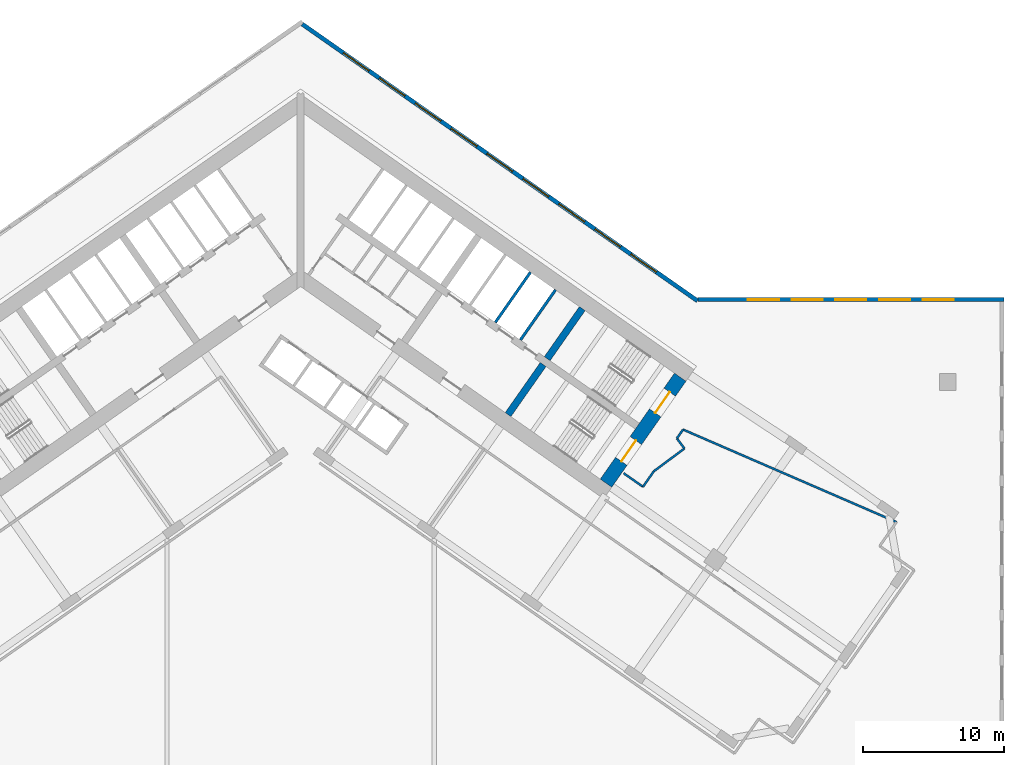
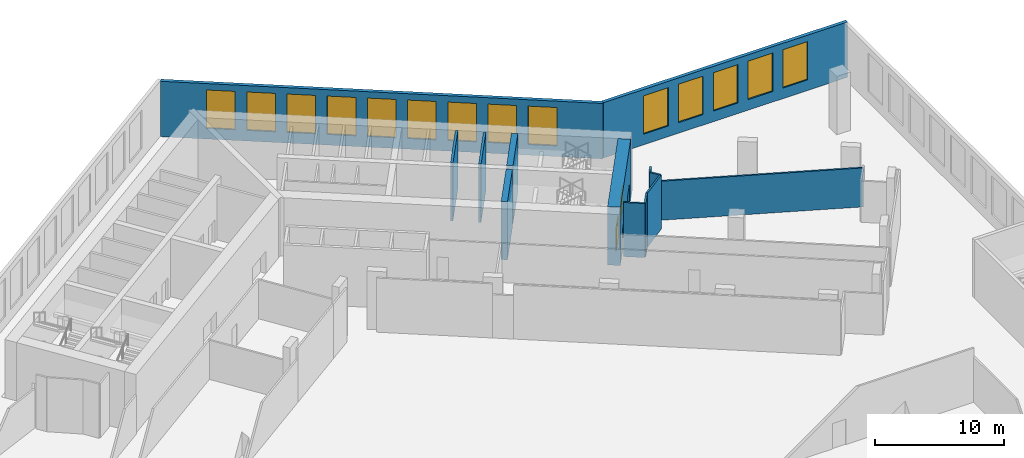
# One storey, part 12 of 26: 14 windows, 13 walls, 2 doors, 16 openings.
"""IFC4 building model written with IfcOpenShell, lengths in metres."""

from ifc_helpers import new_model, si_unit, direction, frame, frame_2d, origin, place, context, subcontext, project, spatial, polyline, rectangle, outline, extrude, material, layer, layer_set, type_object, element, fill, save


model = new_model("IFC4")

# Units and contexts
model_context = context("Model", 3, precision=1e-05, world=origin(), true_north=direction((0.0, 1.0)))
body_context = subcontext(model_context, "Body", "Model", "MODEL_VIEW")
ifc_project = project(units=[si_unit("LENGTHUNIT", "METRE"), si_unit("AREAUNIT", "SQUARE_METRE"), si_unit("VOLUMEUNIT", "CUBIC_METRE"), si_unit("PLANEANGLEUNIT", "RADIAN"), si_unit("MASSUNIT", "GRAM", prefix="KILO")], contexts=[model_context])

# Site, building, storey
site_placement = place(None, origin())
site = spatial("IfcSite", under=ifc_project, at=site_placement, CompositionType="ELEMENT")
building_placement = place(site_placement, origin())
building = spatial("IfcBuilding", under=site, at=building_placement, Name="Tel Ilan Convention Tower", CompositionType="ELEMENT")
storey_placement = place(building_placement, frame((0.0, 0.0, 37.5)))
storey = spatial("IfcBuildingStorey", under=building, at=storey_placement, Name="L05", CompositionType="ELEMENT", Elevation=37.5)

# Wall, openings, doors
ifc_material_1 = material(Name="Concrete C60/75", Category="concrete")
ifc_layer_1 = layer(ifc_material_1, 1.0)
ifc_layer_set_1 = layer_set([ifc_layer_1], Name="Core Shear Wall 1000 mm C60/75")
wall_type_1 = type_object("IfcWallType", Name="Core Shear Wall 1000 mm C60/75", PredefinedType="SHEAR", material=ifc_layer_set_1)
wall_1_placement = place(storey_placement, frame((21.70751953125, -15.19970703125, 0.0), z_axis=(0.0, 0.0, 1.0), x_axis=(0.573576324356, 0.819152122709, 0.0)))
wall_1 = element("IfcWall", 1, at=wall_1_placement, inside=storey, type_object=wall_type_1, Name="L05 core wall E-end", PredefinedType="SHEAR", context=body_context, shape_type="SweptSolid", body=[
    extrude(outline(polyline([(9.199951171875, 0.5), (0.0, 0.5), (0.0, -0.5), (9.199951171875, -0.5), (9.199951171875, 0.5)])), origin(), (0.0, 0.0, 1.0), 5.5),
])
opening_1_placement = place(wall_1_placement, frame((6.10009765625, 0.0, 0.0)))
opening_1 = element("IfcOpeningElement", 2, at=opening_1_placement, cuts=wall_1, Name="Opening SD0803", PredefinedType="OPENING", context=body_context, shape_type="SweptSolid", body=[
    extrude(rectangle(XDim=1.800048828125, YDim=2.10009765625, at=frame_2d((0.89990234375, 1.050048828125))), frame((0.0, 0.510009765625, 0.0), z_axis=(0.0, -1.0, 0.0), x_axis=(1.0, 0.0, 0.0)), (0.0, 0.0, 1.0), 1.02001953125),
])
opening_2_placement = place(wall_1_placement, frame((1.89990234375, 0.0, 0.0)))
opening_2 = element("IfcOpeningElement", 3, at=opening_2_placement, cuts=wall_1, Name="Opening SD0804", PredefinedType="OPENING", context=body_context, shape_type="SweptSolid", body=[
    extrude(rectangle(XDim=1.800048828125, YDim=2.10009765625, at=frame_2d((0.89990234375, 1.050048828125))), frame((0.0, 0.510009765625, 0.0), z_axis=(0.0, -1.0, 0.0), x_axis=(1.0, 0.0, 0.0)), (0.0, 0.0, 1.0), 1.02001953125),
])
ifc_material_2 = material(Name="Galvanised Steel Door Leaf", Category="steel")
door_type = type_object("IfcDoorType", Name="Stair Fire Door 1800 x 2100 FD60S", OperationType="NOTDEFINED", PredefinedType="DOOR", material=ifc_material_2)
door_1_placement = place(opening_1_placement, origin())
door_1 = element("IfcDoor", 4, at=door_1_placement, inside=storey, type_object=door_type, Name="Stair S3 door", OperationType="DOUBLE_DOOR_SINGLE_SWING", OverallHeight=2.10009765625, OverallWidth=1.800048828125, PredefinedType="DOOR", context=body_context, shape_type="SweptSolid", body=[
    extrude(rectangle(XDim=1.800048828125, YDim=2.10009765625, at=frame_2d((0.89990234375, 1.050048828125))), frame((0.0, 0.02490234375, 0.0), z_axis=(0.0, -1.0, 0.0), x_axis=(1.0, 0.0, 0.0)), (0.0, 0.0, 1.0), 0.050048828125),
])
fill(opening_1, door_1)
door_2_placement = place(opening_2_placement, origin())
door_2 = element("IfcDoor", 5, at=door_2_placement, inside=storey, type_object=door_type, Name="Stair S4 door", OperationType="DOUBLE_DOOR_SINGLE_SWING", OverallHeight=2.10009765625, OverallWidth=1.800048828125, PredefinedType="DOOR", context=body_context, shape_type="SweptSolid", body=[
    extrude(rectangle(XDim=1.800048828125, YDim=2.10009765625, at=frame_2d((0.89990234375, 1.050048828125))), frame((0.0, 0.02490234375, 0.0), z_axis=(0.0, -1.0, 0.0), x_axis=(1.0, 0.0, 0.0)), (0.0, 0.0, 1.0), 0.050048828125),
])
fill(opening_2, door_2)

# Walls
ifc_material_3 = material(Name="Concrete C60/75", Category="concrete")
ifc_layer_2 = layer(ifc_material_3, 0.5)
ifc_layer_set_2 = layer_set([ifc_layer_2], Name="Core Shear Wall 500 mm C60/75")
wall_type_2 = type_object("IfcWallType", Name="Core Shear Wall 500 mm C60/75", PredefinedType="SHEAR", material=ifc_layer_set_2)
wall_2_placement = place(storey_placement, frame((14.74462890625, -10.324462890625, 0.0), z_axis=(0.0, 0.0, 1.0), x_axis=(0.57356780395, 0.819158088694, 0.0)))
element("IfcWall", 6, at=wall_2_placement, inside=storey, type_object=wall_type_2, Name="L05 core wall E-cross2-1", PredefinedType="SHEAR", context=body_context, shape_type="SweptSolid", body=[
    extrude(outline(polyline([(0.0, 0.25), (0.0, -0.25), (4.35009765625, -0.250244140625), (4.35009765625, 0.25), (0.0, 0.25)])), origin(), (0.0, 0.0, 1.0), 5.5),
])
wall_3_placement = place(storey_placement, frame((17.526611328125, -6.3515625, 0.0), z_axis=(0.0, 0.0, 1.0), x_axis=(0.573530143085, 0.819184457233, 0.0)))
element("IfcWall", 7, at=wall_3_placement, inside=storey, type_object=wall_type_2, Name="L05 core wall E-cross2-2", PredefinedType="SHEAR", context=body_context, shape_type="SweptSolid", body=[
    extrude(outline(polyline([(4.35009765625, -0.250244140625), (4.35009765625, 0.249755859375), (0.0, 0.25), (0.0, -0.25), (4.35009765625, -0.250244140625)])), origin(), (0.0, 0.0, 1.0), 5.5),
])
ifc_material_4 = material(Name="Plasterboard on Steel Studs", Category="steel")
ifc_layer_3 = layer(ifc_material_4, 0.14990234375)
ifc_layer_set_3 = layer_set([ifc_layer_3], Name="Fire-rated Partition 150 EI 60")
wall_type_3 = type_object("IfcWallType", Name="Fire-rated Partition 150 EI 60", PredefinedType="PARTITIONING", material=ifc_layer_set_3)
wall_4_placement = place(storey_placement, frame((26.74609375, -12.013671875, 0.0), z_axis=(0.0, 0.0, 1.0), x_axis=(0.573761975376, 0.819022097146, 0.0)))
element("IfcWall", 8, at=wall_4_placement, inside=storey, type_object=wall_type_3, Name="Partition 011", PredefinedType="PARTITIONING", context=body_context, shape_type="SweptSolid", body=[
    extrude(rectangle(XDim=0.765380859375, YDim=0.14990234375, at=frame_2d((0.3828125, 0.0))), origin(), (0.0, 0.0, 1.0), 5.10009765625),
])
wall_5_placement = place(storey_placement, frame((27.185302734375, -11.38671875, 0.0), z_axis=(0.0, 0.0, 1.0), x_axis=(0.917531384635, -0.397663372979, 0.0)))
element("IfcWall", 9, at=wall_5_placement, inside=storey, type_object=wall_type_3, Name="Partition 012", PredefinedType="PARTITIONING", context=body_context, shape_type="SweptSolid", body=[
    extrude(rectangle(XDim=16.535888671875, YDim=0.14990234375, at=frame_2d((8.26806640625, 0.0))), origin(), (0.0, 0.0, 1.0), 3.679931640625),
])
wall_6_placement = place(storey_placement, frame((22.961181640625, -14.490478515625, 0.0), z_axis=(0.0, 0.0, 1.0), x_axis=(0.819109000826, -0.573637903879, 0.0)))
element("IfcWall", 10, at=wall_6_placement, inside=storey, type_object=wall_type_3, Name="Partition 013", PredefinedType="PARTITIONING", context=body_context, shape_type="SweptSolid", body=[
    extrude(rectangle(XDim=1.679931640625, YDim=0.14990234375, at=frame_2d((0.83984375, 0.0))), origin(), (0.0, 0.0, 1.0), 5.10009765625),
])
wall_7_placement = place(storey_placement, frame((24.337158203125, -15.4541015625, 0.0), z_axis=(0.0, 0.0, 1.0), x_axis=(0.573571252353, 0.819155674139, 0.0)))
element("IfcWall", 11, at=wall_7_placement, inside=storey, type_object=wall_type_3, Name="Partition 014", PredefinedType="PARTITIONING", context=body_context, shape_type="SweptSolid", body=[
    extrude(rectangle(XDim=1.35400390625, YDim=0.14990234375, at=frame_2d((0.677001953125, 0.0))), origin(), (0.0, 0.0, 1.0), 5.10009765625),
])
wall_8_placement = place(storey_placement, frame((25.11376953125, -14.344970703125, 0.0), z_axis=(0.0, 0.0, 1.0), x_axis=(0.803211070557, 0.595694532571, 0.0)))
element("IfcWall", 12, at=wall_8_placement, inside=storey, type_object=wall_type_3, Name="Partition 015", PredefinedType="PARTITIONING", context=body_context, shape_type="SweptSolid", body=[
    extrude(rectangle(XDim=2.699951171875, YDim=0.14990234375, at=frame_2d((1.35009765625, 0.0))), origin(), (0.0, 0.0, 1.0), 5.10009765625),
])
wall_9_placement = place(storey_placement, frame((27.282470703125, -12.736572265625, 0.0), z_axis=(0.0, 0.0, 1.0), x_axis=(-0.595869495235, 0.803081281471, 0.0)))
element("IfcWall", 13, at=wall_9_placement, inside=storey, type_object=wall_type_3, Name="Partition 016", PredefinedType="PARTITIONING", context=body_context, shape_type="SweptSolid", body=[
    extrude(rectangle(XDim=0.900146484375, YDim=0.14990234375, at=frame_2d((0.4501953125, 0.0))), origin(), (0.0, 0.0, 1.0), 5.10009765625),
])
ifc_material_5 = material(Name="Concrete C30/37", Category="concrete")
ifc_layer_4 = layer(ifc_material_5, 0.199951171875)
ifc_layer_set_4 = layer_set([ifc_layer_4], Name="Lift Shaft Wall 200 mm C30/37")
wall_type_4 = type_object("IfcWallType", Name="Lift Shaft Wall 200 mm C30/37", PredefinedType="SOLIDWALL", material=ifc_layer_set_4)
wall_10_placement = place(storey_placement, frame((13.84033203125, -3.7705078125, 0.0), z_axis=(0.0, 0.0, 1.0), x_axis=(0.57356780395, 0.819158088694, 0.0)))
element("IfcWall", 14, at=wall_10_placement, inside=storey, type_object=wall_type_4, Name="L05 core wall bank-E2-p1", PredefinedType="SOLIDWALL", context=body_context, shape_type="SweptSolid", body=[
    extrude(rectangle(XDim=4.35009765625, YDim=0.199951171875, at=frame_2d((2.175048828125, 0.0))), origin(), (0.0, 0.0, 1.0), 5.5),
])
wall_11_placement = place(storey_placement, frame((15.6220703125, -5.017822265625, 0.0), z_axis=(0.0, 0.0, 1.0), x_axis=(0.573594173421, 0.819139624372, 0.0)))
element("IfcWall", 15, at=wall_11_placement, inside=storey, type_object=wall_type_4, Name="L05 core wall bank-E2-p2", PredefinedType="SOLIDWALL", context=body_context, shape_type="SweptSolid", body=[
    extrude(rectangle(XDim=4.349853515625, YDim=0.199951171875, at=frame_2d((2.1748046875, 0.0))), origin(), (0.0, 0.0, 1.0), 5.5),
])

# Wall, openings, windows
ifc_material_6 = material(Name="Bronze aluminium cladding panel on insulated steel frame", Category="steel")
ifc_layer_5 = layer(ifc_material_6, 0.300048828125)
ifc_layer_set_5 = layer_set([ifc_layer_5], Name="PODIUM CLADDING WALL 300")
wall_type_5 = type_object("IfcWallType", Name="PODIUM CLADDING WALL 300", PredefinedType="SOLIDWALL", material=ifc_layer_set_5)
wall_12_placement = place(storey_placement, frame((0.122802734375, 17.43212890625, 0.0), z_axis=(0.0, 0.0, 1.0), x_axis=(0.819151970339, -0.573576541963, 0.0)))
wall_12 = element("IfcWall", 16, at=wall_12_placement, inside=storey, type_object=wall_type_5, Name="Podium cladding wall", PredefinedType="SOLIDWALL", context=body_context, shape_type="SweptSolid", body=[
    extrude(rectangle(XDim=34.29052734375, YDim=0.300048828125, at=frame_2d((17.145263671875, 0.0))), origin(), (0.0, 0.0, 1.0), 5.219970703125),
])
opening_3_placement = place(wall_12_placement, frame((3.5673828125, 0.0, 1.0)))
opening_3 = element("IfcOpeningElement", 17, at=opening_3_placement, cuts=wall_12, Name="Opening W-08.040", PredefinedType="OPENING", context=body_context, shape_type="SweptSolid", body=[
    extrude(rectangle(XDim=2.21728515625, YDim=3.6201171875, at=frame_2d((1.108642578125, 1.81005859375))), frame((0.0, 0.159912109375, 0.0), z_axis=(0.0, -1.0, 0.0), x_axis=(1.0, 0.0, 0.0)), (0.0, 0.0, 1.0), 0.320068359375),
])
opening_4_placement = place(wall_12_placement, frame((6.6845703125, 0.0, 1.0)))
opening_4 = element("IfcOpeningElement", 18, at=opening_4_placement, cuts=wall_12, Name="Opening W-08.041", PredefinedType="OPENING", context=body_context, shape_type="SweptSolid", body=[
    extrude(rectangle(XDim=2.21728515625, YDim=3.6201171875, at=frame_2d((1.108642578125, 1.81005859375))), frame((0.0, 0.159912109375, 0.0), z_axis=(0.0, -1.0, 0.0), x_axis=(1.0, 0.0, 0.0)), (0.0, 0.0, 1.0), 0.320068359375),
])
opening_5_placement = place(wall_12_placement, frame((9.802001953125, 0.0, 1.0)))
opening_5 = element("IfcOpeningElement", 19, at=opening_5_placement, cuts=wall_12, Name="Opening W-08.042", PredefinedType="OPENING", context=body_context, shape_type="SweptSolid", body=[
    extrude(rectangle(XDim=2.21728515625, YDim=3.6201171875, at=frame_2d((1.108642578125, 1.81005859375))), frame((0.0, 0.159912109375, 0.0), z_axis=(0.0, -1.0, 0.0), x_axis=(1.0, 0.0, 0.0)), (0.0, 0.0, 1.0), 0.320068359375),
])
opening_6_placement = place(wall_12_placement, frame((12.919189453125, 0.0, 1.0)))
opening_6 = element("IfcOpeningElement", 20, at=opening_6_placement, cuts=wall_12, Name="Opening W-08.043", PredefinedType="OPENING", context=body_context, shape_type="SweptSolid", body=[
    extrude(rectangle(XDim=2.21728515625, YDim=3.6201171875, at=frame_2d((1.108642578125, 1.81005859375))), frame((0.0, 0.159912109375, 0.0), z_axis=(0.0, -1.0, 0.0), x_axis=(1.0, 0.0, 0.0)), (0.0, 0.0, 1.0), 0.320068359375),
])
opening_7_placement = place(wall_12_placement, frame((16.03662109375, 0.0, 1.0)))
opening_7 = element("IfcOpeningElement", 21, at=opening_7_placement, cuts=wall_12, Name="Opening W-08.044", PredefinedType="OPENING", context=body_context, shape_type="SweptSolid", body=[
    extrude(rectangle(XDim=2.21728515625, YDim=3.6201171875, at=frame_2d((1.108642578125, 1.81005859375))), frame((0.0, 0.159912109375, 0.0), z_axis=(0.0, -1.0, 0.0), x_axis=(1.0, 0.0, 0.0)), (0.0, 0.0, 1.0), 0.320068359375),
])
opening_8_placement = place(wall_12_placement, frame((19.15380859375, 0.0, 1.0)))
opening_8 = element("IfcOpeningElement", 22, at=opening_8_placement, cuts=wall_12, Name="Opening W-08.045", PredefinedType="OPENING", context=body_context, shape_type="SweptSolid", body=[
    extrude(rectangle(XDim=2.21728515625, YDim=3.6201171875, at=frame_2d((1.108642578125, 1.81005859375))), frame((0.0, 0.159912109375, 0.0), z_axis=(0.0, -1.0, 0.0), x_axis=(1.0, 0.0, 0.0)), (0.0, 0.0, 1.0), 0.320068359375),
])
opening_9_placement = place(wall_12_placement, frame((22.27099609375, 0.0, 1.0)))
opening_9 = element("IfcOpeningElement", 23, at=opening_9_placement, cuts=wall_12, Name="Opening W-08.046", PredefinedType="OPENING", context=body_context, shape_type="SweptSolid", body=[
    extrude(rectangle(XDim=2.21728515625, YDim=3.6201171875, at=frame_2d((1.108642578125, 1.81005859375))), frame((0.0, 0.159912109375, 0.0), z_axis=(0.0, -1.0, 0.0), x_axis=(1.0, 0.0, 0.0)), (0.0, 0.0, 1.0), 0.320068359375),
])
opening_10_placement = place(wall_12_placement, frame((25.388427734375, 0.0, 1.0)))
opening_10 = element("IfcOpeningElement", 24, at=opening_10_placement, cuts=wall_12, Name="Opening W-08.047", PredefinedType="OPENING", context=body_context, shape_type="SweptSolid", body=[
    extrude(rectangle(XDim=2.21728515625, YDim=3.6201171875, at=frame_2d((1.108642578125, 1.81005859375))), frame((0.0, 0.159912109375, 0.0), z_axis=(0.0, -1.0, 0.0), x_axis=(1.0, 0.0, 0.0)), (0.0, 0.0, 1.0), 0.320068359375),
])
opening_11_placement = place(wall_12_placement, frame((28.505615234375, 0.0, 1.0)))
opening_11 = element("IfcOpeningElement", 25, at=opening_11_placement, cuts=wall_12, Name="Opening W-08.048", PredefinedType="OPENING", context=body_context, shape_type="SweptSolid", body=[
    extrude(rectangle(XDim=2.21728515625, YDim=3.6201171875, at=frame_2d((1.108642578125, 1.81005859375))), frame((0.0, 0.159912109375, 0.0), z_axis=(0.0, -1.0, 0.0), x_axis=(1.0, 0.0, 0.0)), (0.0, 0.0, 1.0), 0.320068359375),
])
ifc_material_7 = material(Name="Aluminium framed glazing, bronze anodised, tinted glass", Category="aluminium")
window_type_1 = type_object("IfcWindowType", Name="PODIUM WINDOW 2217x3620", PartitioningType="SINGLE_PANEL", PredefinedType="WINDOW", material=ifc_material_7)
window_1_placement = place(opening_3_placement, origin())
window_1 = element("IfcWindow", 26, at=window_1_placement, inside=storey, type_object=window_type_1, Name="Podium window", OverallHeight=3.6201171875, OverallWidth=2.21728515625, PartitioningType="SINGLE_PANEL", PredefinedType="WINDOW", context=body_context, shape_type="SweptSolid", body=[
    extrude(rectangle(XDim=2.21728515625, YDim=3.6201171875, at=frame_2d((1.108642578125, 1.81005859375))), frame((0.0, 0.030029296875, 0.0), z_axis=(0.0, -1.0, 0.0), x_axis=(1.0, 0.0, 0.0)), (0.0, 0.0, 1.0), 0.06005859375),
])
fill(opening_3, window_1)
window_2_placement = place(opening_4_placement, origin())
window_2 = element("IfcWindow", 27, at=window_2_placement, inside=storey, type_object=window_type_1, Name="Podium window", OverallHeight=3.6201171875, OverallWidth=2.21728515625, PartitioningType="SINGLE_PANEL", PredefinedType="WINDOW", context=body_context, shape_type="SweptSolid", body=[
    extrude(rectangle(XDim=2.21728515625, YDim=3.6201171875, at=frame_2d((1.108642578125, 1.81005859375))), frame((0.0, 0.030029296875, 0.0), z_axis=(0.0, -1.0, 0.0), x_axis=(1.0, 0.0, 0.0)), (0.0, 0.0, 1.0), 0.06005859375),
])
fill(opening_4, window_2)
window_3_placement = place(opening_5_placement, origin())
window_3 = element("IfcWindow", 28, at=window_3_placement, inside=storey, type_object=window_type_1, Name="Podium window", OverallHeight=3.6201171875, OverallWidth=2.21728515625, PartitioningType="SINGLE_PANEL", PredefinedType="WINDOW", context=body_context, shape_type="SweptSolid", body=[
    extrude(rectangle(XDim=2.21728515625, YDim=3.6201171875, at=frame_2d((1.108642578125, 1.81005859375))), frame((0.0, 0.030029296875, 0.0), z_axis=(0.0, -1.0, 0.0), x_axis=(1.0, 0.0, 0.0)), (0.0, 0.0, 1.0), 0.06005859375),
])
fill(opening_5, window_3)
window_4_placement = place(opening_6_placement, origin())
window_4 = element("IfcWindow", 29, at=window_4_placement, inside=storey, type_object=window_type_1, Name="Podium window", OverallHeight=3.6201171875, OverallWidth=2.21728515625, PartitioningType="SINGLE_PANEL", PredefinedType="WINDOW", context=body_context, shape_type="SweptSolid", body=[
    extrude(rectangle(XDim=2.21728515625, YDim=3.6201171875, at=frame_2d((1.108642578125, 1.81005859375))), frame((0.0, 0.030029296875, 0.0), z_axis=(0.0, -1.0, 0.0), x_axis=(1.0, 0.0, 0.0)), (0.0, 0.0, 1.0), 0.06005859375),
])
fill(opening_6, window_4)
window_5_placement = place(opening_7_placement, origin())
window_5 = element("IfcWindow", 30, at=window_5_placement, inside=storey, type_object=window_type_1, Name="Podium window", OverallHeight=3.6201171875, OverallWidth=2.21728515625, PartitioningType="SINGLE_PANEL", PredefinedType="WINDOW", context=body_context, shape_type="SweptSolid", body=[
    extrude(rectangle(XDim=2.21728515625, YDim=3.6201171875, at=frame_2d((1.108642578125, 1.81005859375))), frame((0.0, 0.030029296875, 0.0), z_axis=(0.0, -1.0, 0.0), x_axis=(1.0, 0.0, 0.0)), (0.0, 0.0, 1.0), 0.06005859375),
])
fill(opening_7, window_5)
window_6_placement = place(opening_8_placement, origin())
window_6 = element("IfcWindow", 31, at=window_6_placement, inside=storey, type_object=window_type_1, Name="Podium window", OverallHeight=3.6201171875, OverallWidth=2.21728515625, PartitioningType="SINGLE_PANEL", PredefinedType="WINDOW", context=body_context, shape_type="SweptSolid", body=[
    extrude(rectangle(XDim=2.21728515625, YDim=3.6201171875, at=frame_2d((1.108642578125, 1.81005859375))), frame((0.0, 0.030029296875, 0.0), z_axis=(0.0, -1.0, 0.0), x_axis=(1.0, 0.0, 0.0)), (0.0, 0.0, 1.0), 0.06005859375),
])
fill(opening_8, window_6)
window_7_placement = place(opening_9_placement, origin())
window_7 = element("IfcWindow", 32, at=window_7_placement, inside=storey, type_object=window_type_1, Name="Podium window", OverallHeight=3.6201171875, OverallWidth=2.21728515625, PartitioningType="SINGLE_PANEL", PredefinedType="WINDOW", context=body_context, shape_type="SweptSolid", body=[
    extrude(rectangle(XDim=2.21728515625, YDim=3.6201171875, at=frame_2d((1.108642578125, 1.81005859375))), frame((0.0, 0.030029296875, 0.0), z_axis=(0.0, -1.0, 0.0), x_axis=(1.0, 0.0, 0.0)), (0.0, 0.0, 1.0), 0.06005859375),
])
fill(opening_9, window_7)
window_8_placement = place(opening_10_placement, origin())
window_8 = element("IfcWindow", 33, at=window_8_placement, inside=storey, type_object=window_type_1, Name="Podium window", OverallHeight=3.6201171875, OverallWidth=2.21728515625, PartitioningType="SINGLE_PANEL", PredefinedType="WINDOW", context=body_context, shape_type="SweptSolid", body=[
    extrude(rectangle(XDim=2.21728515625, YDim=3.6201171875, at=frame_2d((1.108642578125, 1.81005859375))), frame((0.0, 0.030029296875, 0.0), z_axis=(0.0, -1.0, 0.0), x_axis=(1.0, 0.0, 0.0)), (0.0, 0.0, 1.0), 0.06005859375),
])
fill(opening_10, window_8)
window_9_placement = place(opening_11_placement, origin())
window_9 = element("IfcWindow", 34, at=window_9_placement, inside=storey, type_object=window_type_1, Name="Podium window", OverallHeight=3.6201171875, OverallWidth=2.21728515625, PartitioningType="SINGLE_PANEL", PredefinedType="WINDOW", context=body_context, shape_type="SweptSolid", body=[
    extrude(rectangle(XDim=2.21728515625, YDim=3.6201171875, at=frame_2d((1.108642578125, 1.81005859375))), frame((0.0, 0.030029296875, 0.0), z_axis=(0.0, -1.0, 0.0), x_axis=(1.0, 0.0, 0.0)), (0.0, 0.0, 1.0), 0.06005859375),
])
fill(opening_11, window_9)

wall_13_placement = place(storey_placement, frame((28.239013671875, -2.14990234375, 0.0), z_axis=(0.0, 0.0, 1.0), x_axis=(1.0, 0.0, 0.0)))
wall_13 = element("IfcWall", 35, at=wall_13_placement, inside=storey, type_object=wall_type_5, Name="Podium cladding wall", PredefinedType="SOLIDWALL", context=body_context, shape_type="SweptSolid", body=[
    extrude(rectangle(XDim=21.760986328125, YDim=0.300048828125, at=frame_2d((10.88037109375, 0.0))), origin(), (0.0, 0.0, 1.0), 5.219970703125),
])
opening_12_placement = place(wall_13_placement, frame((3.558837890625, 0.0, 1.0)))
opening_12 = element("IfcOpeningElement", 36, at=opening_12_placement, cuts=wall_13, Name="Opening W-08.049", PredefinedType="OPENING", context=body_context, shape_type="SweptSolid", body=[
    extrude(rectangle(XDim=2.208740234375, YDim=3.6201171875, at=frame_2d((1.1044921875, 1.81005859375))), frame((0.0, 0.159912109375, 0.0), z_axis=(0.0, -1.0, 0.0), x_axis=(1.0, 0.0, 0.0)), (0.0, 0.0, 1.0), 0.320068359375),
])
opening_13_placement = place(wall_13_placement, frame((6.66748046875, 0.0, 1.0)))
opening_13 = element("IfcOpeningElement", 37, at=opening_13_placement, cuts=wall_13, Name="Opening W-08.050", PredefinedType="OPENING", context=body_context, shape_type="SweptSolid", body=[
    extrude(rectangle(XDim=2.208740234375, YDim=3.6201171875, at=frame_2d((1.1044921875, 1.81005859375))), frame((0.0, 0.159912109375, 0.0), z_axis=(0.0, -1.0, 0.0), x_axis=(1.0, 0.0, 0.0)), (0.0, 0.0, 1.0), 0.320068359375),
])
opening_14_placement = place(wall_13_placement, frame((9.776123046875, 0.0, 1.0)))
opening_14 = element("IfcOpeningElement", 38, at=opening_14_placement, cuts=wall_13, Name="Opening W-08.051", PredefinedType="OPENING", context=body_context, shape_type="SweptSolid", body=[
    extrude(rectangle(XDim=2.208740234375, YDim=3.6201171875, at=frame_2d((1.1044921875, 1.81005859375))), frame((0.0, 0.159912109375, 0.0), z_axis=(0.0, -1.0, 0.0), x_axis=(1.0, 0.0, 0.0)), (0.0, 0.0, 1.0), 0.320068359375),
])
opening_15_placement = place(wall_13_placement, frame((12.884765625, 0.0, 1.0)))
opening_15 = element("IfcOpeningElement", 39, at=opening_15_placement, cuts=wall_13, Name="Opening W-08.052", PredefinedType="OPENING", context=body_context, shape_type="SweptSolid", body=[
    extrude(rectangle(XDim=2.208740234375, YDim=3.6201171875, at=frame_2d((1.1044921875, 1.81005859375))), frame((0.0, 0.159912109375, 0.0), z_axis=(0.0, -1.0, 0.0), x_axis=(1.0, 0.0, 0.0)), (0.0, 0.0, 1.0), 0.320068359375),
])
opening_16_placement = place(wall_13_placement, frame((15.99365234375, 0.0, 1.0)))
opening_16 = element("IfcOpeningElement", 40, at=opening_16_placement, cuts=wall_13, Name="Opening W-08.053", PredefinedType="OPENING", context=body_context, shape_type="SweptSolid", body=[
    extrude(rectangle(XDim=2.208740234375, YDim=3.6201171875, at=frame_2d((1.1044921875, 1.81005859375))), frame((0.0, 0.159912109375, 0.0), z_axis=(0.0, -1.0, 0.0), x_axis=(1.0, 0.0, 0.0)), (0.0, 0.0, 1.0), 0.320068359375),
])
ifc_material_8 = material(Name="Aluminium framed glazing, bronze anodised, tinted glass", Category="aluminium")
window_type_2 = type_object("IfcWindowType", Name="PODIUM WINDOW 2209x3620", PartitioningType="SINGLE_PANEL", PredefinedType="WINDOW", material=ifc_material_8)
window_10_placement = place(opening_12_placement, origin())
window_10 = element("IfcWindow", 41, at=window_10_placement, inside=storey, type_object=window_type_2, Name="Podium window", OverallHeight=3.6201171875, OverallWidth=2.208740234375, PartitioningType="SINGLE_PANEL", PredefinedType="WINDOW", context=body_context, shape_type="SweptSolid", body=[
    extrude(rectangle(XDim=2.208740234375, YDim=3.6201171875, at=frame_2d((1.1044921875, 1.81005859375))), frame((0.0, 0.030029296875, 0.0), z_axis=(0.0, -1.0, 0.0), x_axis=(1.0, 0.0, 0.0)), (0.0, 0.0, 1.0), 0.06005859375),
])
fill(opening_12, window_10)
window_11_placement = place(opening_13_placement, origin())
window_11 = element("IfcWindow", 42, at=window_11_placement, inside=storey, type_object=window_type_2, Name="Podium window", OverallHeight=3.6201171875, OverallWidth=2.208740234375, PartitioningType="SINGLE_PANEL", PredefinedType="WINDOW", context=body_context, shape_type="SweptSolid", body=[
    extrude(rectangle(XDim=2.208740234375, YDim=3.6201171875, at=frame_2d((1.1044921875, 1.81005859375))), frame((0.0, 0.030029296875, 0.0), z_axis=(0.0, -1.0, 0.0), x_axis=(1.0, 0.0, 0.0)), (0.0, 0.0, 1.0), 0.06005859375),
])
fill(opening_13, window_11)
window_12_placement = place(opening_14_placement, origin())
window_12 = element("IfcWindow", 43, at=window_12_placement, inside=storey, type_object=window_type_2, Name="Podium window", OverallHeight=3.6201171875, OverallWidth=2.208740234375, PartitioningType="SINGLE_PANEL", PredefinedType="WINDOW", context=body_context, shape_type="SweptSolid", body=[
    extrude(rectangle(XDim=2.208740234375, YDim=3.6201171875, at=frame_2d((1.1044921875, 1.81005859375))), frame((0.0, 0.030029296875, 0.0), z_axis=(0.0, -1.0, 0.0), x_axis=(1.0, 0.0, 0.0)), (0.0, 0.0, 1.0), 0.06005859375),
])
fill(opening_14, window_12)
window_13_placement = place(opening_15_placement, origin())
window_13 = element("IfcWindow", 44, at=window_13_placement, inside=storey, type_object=window_type_2, Name="Podium window", OverallHeight=3.6201171875, OverallWidth=2.208740234375, PartitioningType="SINGLE_PANEL", PredefinedType="WINDOW", context=body_context, shape_type="SweptSolid", body=[
    extrude(rectangle(XDim=2.208740234375, YDim=3.6201171875, at=frame_2d((1.1044921875, 1.81005859375))), frame((0.0, 0.030029296875, 0.0), z_axis=(0.0, -1.0, 0.0), x_axis=(1.0, 0.0, 0.0)), (0.0, 0.0, 1.0), 0.06005859375),
])
fill(opening_15, window_13)
window_14_placement = place(opening_16_placement, origin())
window_14 = element("IfcWindow", 45, at=window_14_placement, inside=storey, type_object=window_type_2, Name="Podium window", OverallHeight=3.6201171875, OverallWidth=2.208740234375, PartitioningType="SINGLE_PANEL", PredefinedType="WINDOW", context=body_context, shape_type="SweptSolid", body=[
    extrude(rectangle(XDim=2.208740234375, YDim=3.6201171875, at=frame_2d((1.1044921875, 1.81005859375))), frame((0.0, 0.030029296875, 0.0), z_axis=(0.0, -1.0, 0.0), x_axis=(1.0, 0.0, 0.0)), (0.0, 0.0, 1.0), 0.06005859375),
])
fill(opening_16, window_14)

save(model, "model.ifc")
